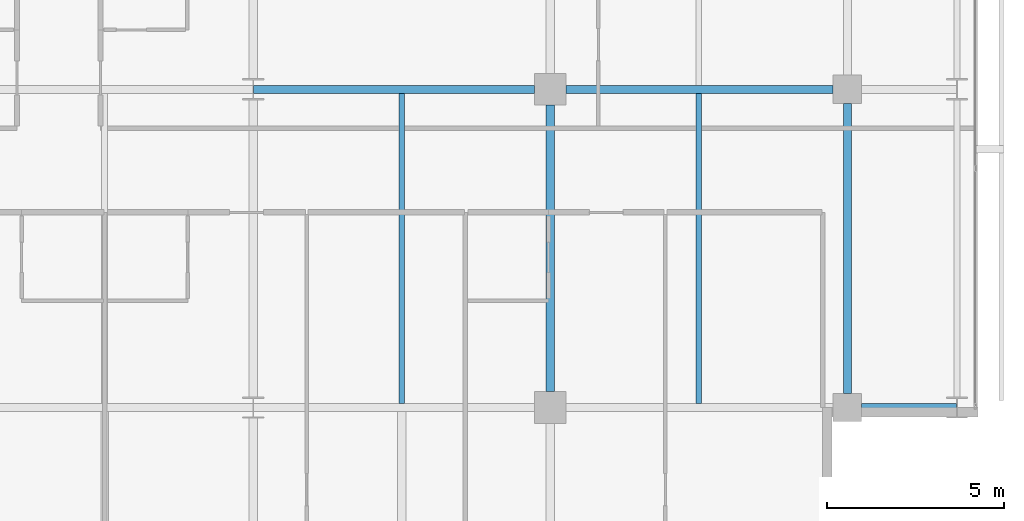
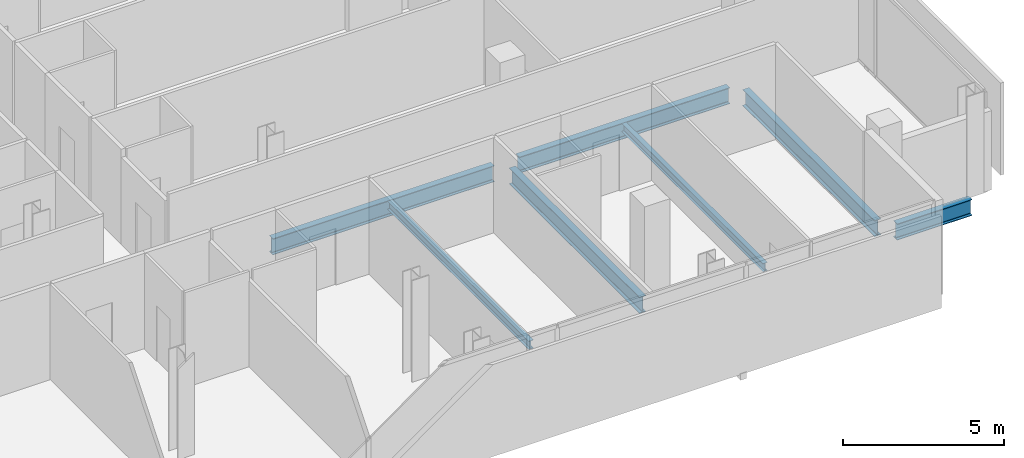
# One storey, part 14 of 33: 7 beams.
"""IFC4 building model written with IfcOpenShell, lengths in metres."""

from ifc_helpers import new_model, si_unit, direction, frame, origin, origin_2d, place, context, subcontext, project, spatial, i_section, extrude, material, material_profile, profile_set, type_object, element, save


model = new_model("IFC4")

# Units and contexts
model_context = context("Model", 3, precision=1e-05, world=origin(), true_north=direction((0.0, 1.0)))
body_context = subcontext(model_context, "Body", "Model", "MODEL_VIEW")
ifc_project = project(units=[si_unit("LENGTHUNIT", "METRE"), si_unit("AREAUNIT", "SQUARE_METRE"), si_unit("VOLUMEUNIT", "CUBIC_METRE"), si_unit("PLANEANGLEUNIT", "RADIAN"), si_unit("MASSUNIT", "GRAM", prefix="KILO")], contexts=[model_context])

# Site, building, storey
site_placement = place(None, origin())
site = spatial("IfcSite", under=ifc_project, at=site_placement, CompositionType="ELEMENT")
building_placement = place(site_placement, origin())
building = spatial("IfcBuilding", under=site, at=building_placement, Name="Maruvema Waterfront Hotel and Observation Tower", CompositionType="ELEMENT")
storey_placement = place(building_placement, frame((0.0, 0.0, 142.800048828125)))
storey = spatial("IfcBuildingStorey", under=building, at=storey_placement, Name="L34", CompositionType="ELEMENT", Elevation=142.800048828125)

# Beams
ifc_material_1 = material(Name="Steel ASTM A572 Grade 50", Category="steel")
ifc_material_profile_1 = material_profile(ifc_material_1, i_section(OverallWidth=0.22900390625, OverallDepth=0.612060546875, WebThickness=0.011962890625, FlangeThickness=0.01953125, FilletRadius=0.01806640625, at=origin_2d()), Name="W610x125.0")
ifc_profile_set_1 = profile_set([ifc_material_profile_1], Name="Steel ASTM A572 Grade 50")
beam_type_1 = type_object("IfcBeamType", Name="Primary Floor Girder W610x125.0", PredefinedType="BEAM", material=ifc_profile_set_1)
beam_1_placement = place(storey_placement, frame((59.199951171875, 9.0, -0.546142578125), z_axis=(1.0, 0.0, 0.0), x_axis=(0.0, 1.0, 0.0)))
element("IfcBeam", 1, at=beam_1_placement, inside=storey, type_object=beam_type_1, Name="L34 Floor Girder EW-10", PredefinedType="BEAM", context=body_context, shape_type="SweptSolid", body=[
    extrude(i_section(OverallWidth=0.22900390625, OverallDepth=0.612060546875, WebThickness=0.011962890625, FlangeThickness=0.01953125, FilletRadius=0.01806640625, at=origin_2d()), origin(), (0.0, 0.0, 1.0), 2.6875),
])
beam_2_placement = place(storey_placement, frame((42.012451171875, 18.0, -0.546142578125), z_axis=(1.0, 0.0, 0.0), x_axis=(0.0, 1.0, 0.0)))
element("IfcBeam", 2, at=beam_2_placement, inside=storey, type_object=beam_type_1, Name="L34 Floor Girder EW-15", PredefinedType="BEAM", context=body_context, shape_type="SweptSolid", body=[
    extrude(i_section(OverallWidth=0.22900390625, OverallDepth=0.612060546875, WebThickness=0.011962890625, FlangeThickness=0.01953125, FilletRadius=0.01806640625, at=origin_2d()), origin(), (0.0, 0.0, 1.0), 7.9375),
])
beam_3_placement = place(storey_placement, frame((50.85009765625, 18.0, -0.546142578125), z_axis=(1.0, 0.0, 0.0), x_axis=(0.0, 1.0, 0.0)))
element("IfcBeam", 3, at=beam_3_placement, inside=storey, type_object=beam_type_1, Name="L34 Floor Girder EW-16", PredefinedType="BEAM", context=body_context, shape_type="SweptSolid", body=[
    extrude(i_section(OverallWidth=0.22900390625, OverallDepth=0.612060546875, WebThickness=0.011962890625, FlangeThickness=0.01953125, FilletRadius=0.01806640625, at=origin_2d()), origin(), (0.0, 0.0, 1.0), 7.5498046875),
])
beam_4_placement = place(storey_placement, frame((50.39990234375, 9.449951171875, -0.546142578125), z_axis=(0.0, 1.0, 0.0), x_axis=(-1.0, 0.0, 0.0)))
element("IfcBeam", 4, at=beam_4_placement, inside=storey, type_object=beam_type_1, Name="L34 Floor Girder NS-21", PredefinedType="BEAM", context=body_context, shape_type="SweptSolid", body=[
    extrude(i_section(OverallWidth=0.22900390625, OverallDepth=0.612060546875, WebThickness=0.011962890625, FlangeThickness=0.01953125, FilletRadius=0.01806640625, at=origin_2d()), origin(), (0.0, 0.0, 1.0), 8.10009765625),
])
beam_5_placement = place(storey_placement, frame((58.800048828125, 9.39990234375, -0.546142578125), z_axis=(0.0, 1.0, 0.0), x_axis=(-1.0, 0.0, 0.0)))
element("IfcBeam", 5, at=beam_5_placement, inside=storey, type_object=beam_type_1, Name="L34 Floor Girder NS-25", PredefinedType="BEAM", context=body_context, shape_type="SweptSolid", body=[
    extrude(i_section(OverallWidth=0.22900390625, OverallDepth=0.612060546875, WebThickness=0.011962890625, FlangeThickness=0.01953125, FilletRadius=0.01806640625, at=origin_2d()), origin(), (0.0, 0.0, 1.0), 8.2001953125),
])
ifc_material_2 = material(Name="Steel ASTM A572 Grade 50", Category="steel")
ifc_material_profile_2 = material_profile(ifc_material_2, i_section(OverallWidth=0.1650390625, OverallDepth=0.31005859375, WebThickness=0.005859375, FlangeThickness=0.009765625, FilletRadius=0.012939453125, at=origin_2d()), Name="W310x38.7")
ifc_profile_set_2 = profile_set([ifc_material_profile_2], Name="Steel ASTM A572 Grade 50")
beam_type_2 = type_object("IfcBeamType", Name="Secondary Floor Joist W310x38.7", PredefinedType="JOIST", material=ifc_profile_set_2)
beam_6_placement = place(storey_placement, frame((54.60009765625, 9.114501953125, -0.39501953125), z_axis=(0.0, 1.0, 0.0), x_axis=(-1.0, 0.0, 0.0)))
element("IfcBeam", 6, at=beam_6_placement, inside=storey, type_object=beam_type_2, Name="L34 Secondary Floor Joist JS-11", PredefinedType="JOIST", context=body_context, shape_type="SweptSolid", body=[
    extrude(i_section(OverallWidth=0.1650390625, OverallDepth=0.31005859375, WebThickness=0.005859375, FlangeThickness=0.009765625, FilletRadius=0.012939453125, at=origin_2d()), origin(), (0.0, 0.0, 1.0), 8.77099609375),
])
ifc_material_3 = material(Name="Steel ASTM A572 Grade 50", Category="steel")
ifc_material_profile_3 = material_profile(ifc_material_3, i_section(OverallWidth=0.1669921875, OverallDepth=0.31689453125, WebThickness=0.007568359375, FlangeThickness=0.01318359375, FilletRadius=0.012939453125, at=origin_2d()), Name="W310x52.0")
ifc_profile_set_3 = profile_set([ifc_material_profile_3], Name="Steel ASTM A572 Grade 50")
beam_type_3 = type_object("IfcBeamType", Name="Secondary Floor Joist W310x52.0", PredefinedType="JOIST", material=ifc_profile_set_3)
beam_7_placement = place(storey_placement, frame((46.199951171875, 9.114501953125, -0.3984375), z_axis=(0.0, 1.0, 0.0), x_axis=(-1.0, 0.0, 0.0)))
element("IfcBeam", 7, at=beam_7_placement, inside=storey, type_object=beam_type_3, Name="L34 Secondary Floor Joist JS-10", PredefinedType="JOIST", context=body_context, shape_type="SweptSolid", body=[
    extrude(i_section(OverallWidth=0.1669921875, OverallDepth=0.31689453125, WebThickness=0.007568359375, FlangeThickness=0.01318359375, FilletRadius=0.012939453125, at=origin_2d()), origin(), (0.0, 0.0, 1.0), 8.77099609375),
])

save(model, "model.ifc")
